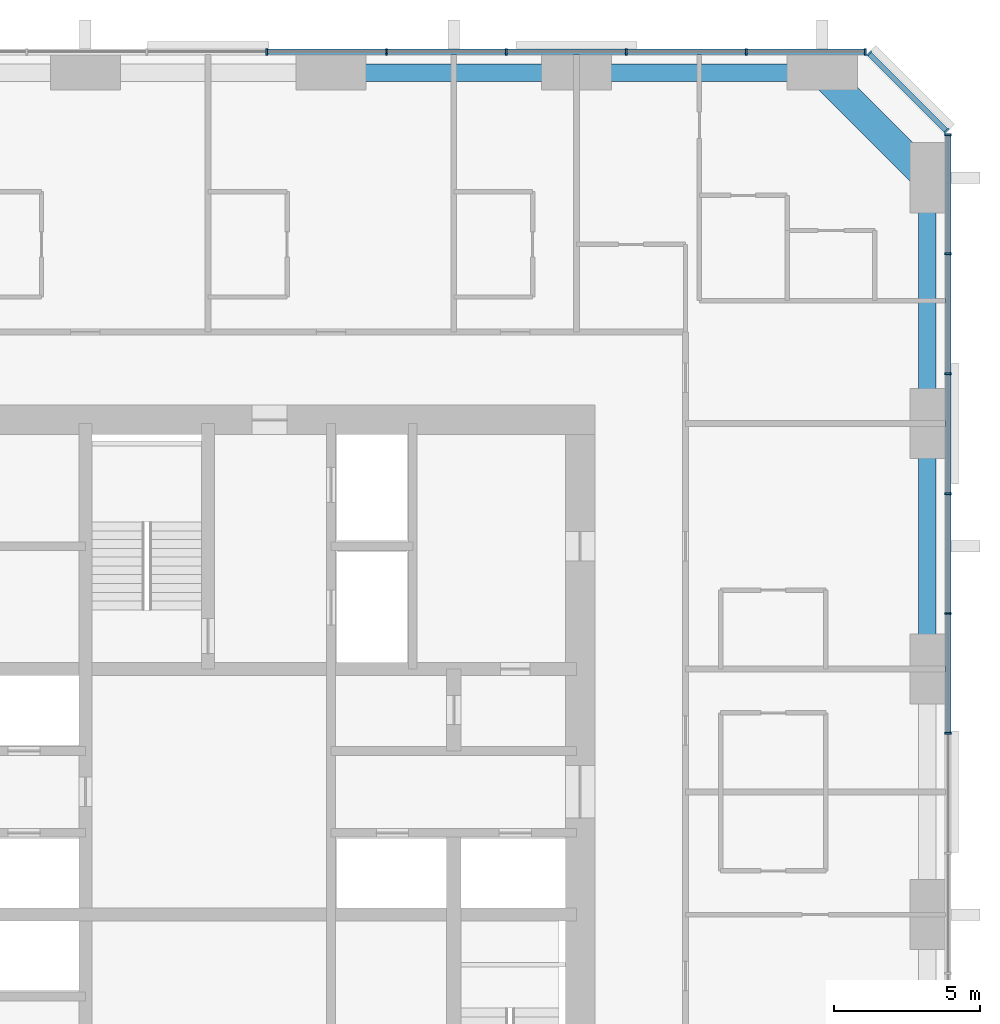
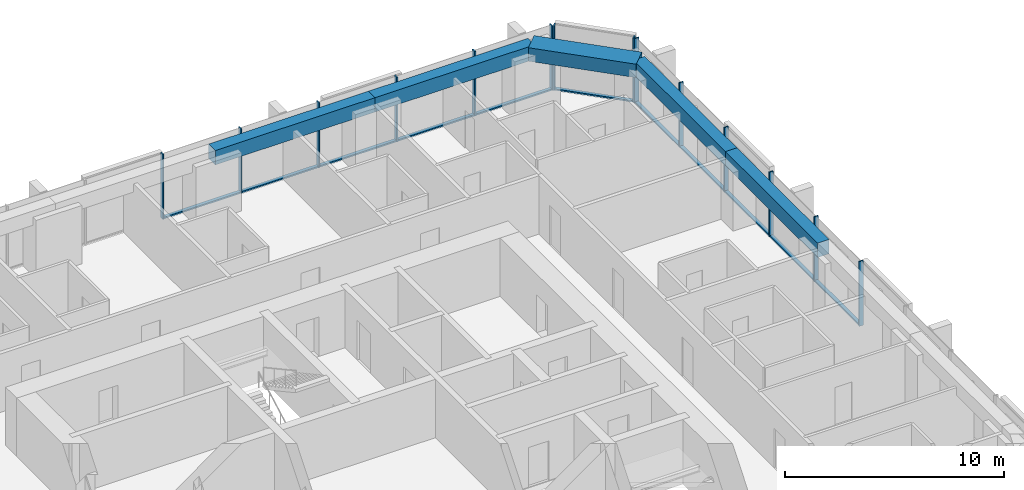
# One storey, part 6 of 14: 25 members, 5 beams, 3 elements without a shape of their own.
"""IFC4 building model written with IfcOpenShell, lengths in metres."""

from ifc_helpers import new_model, si_unit, direction, frame, origin, origin_2d, place, context, subcontext, project, spatial, rectangle, extrude, material, material_profile, profile_set, type_object, element, aggregate, save


model = new_model("IFC4")

# Units and contexts
model_context = context("Model", 3, precision=1e-05, world=origin(), true_north=direction((0.0, 1.0)))
body_context = subcontext(model_context, "Body", "Model", "MODEL_VIEW")
ifc_project = project(units=[si_unit("LENGTHUNIT", "METRE"), si_unit("AREAUNIT", "SQUARE_METRE"), si_unit("VOLUMEUNIT", "CUBIC_METRE"), si_unit("PLANEANGLEUNIT", "RADIAN"), si_unit("MASSUNIT", "GRAM", prefix="KILO")], contexts=[model_context])

# Site, building, storey
site_placement = place(None, origin())
site = spatial("IfcSite", under=ifc_project, at=site_placement, CompositionType="ELEMENT")
building_placement = place(site_placement, origin())
building = spatial("IfcBuilding", under=site, at=building_placement, Name="Dunama Terrace Hotel", CompositionType="ELEMENT")
storey_placement = place(building_placement, frame((0.0, 0.0, 133.199951171875)))
storey = spatial("IfcBuildingStorey", under=building, at=storey_placement, Name="L34", CompositionType="ELEMENT", Elevation=133.199951171875)

# Curtain wall, members
ifc_material_1 = material(Name="Aluminium curtain wall system", Category="aluminium")
curtain_wall_type = type_object("IfcCurtainWallType", Name="Unitised fritted glass wall CW-B", PredefinedType="NOTDEFINED", material=ifc_material_1)
curtain_wall_1_placement = place(storey_placement, origin())
curtain_wall_1 = element("IfcCurtainWall", 1, at=curtain_wall_1_placement, inside=storey, type_object=curtain_wall_type, Name="Unitised fritted glass wall CW-B L34", PredefinedType="NOTDEFINED")
ifc_material_2 = material(Name="Aluminium mullion", Category="aluminium")
ifc_material_profile_1 = material_profile(ifc_material_2, rectangle(XDim=0.06494140625, YDim=0.219970703125, at=origin_2d()), Name="CWB MULLION 65X220")
ifc_profile_set_1 = profile_set([ifc_material_profile_1], Name="Aluminium mullion")
member_type_1 = type_object("IfcMemberType", Name="CWB mullion 65x220", PredefinedType="MULLION", material=ifc_profile_set_1)
member_1_placement = place(storey_placement, frame((54.7099609375, 31.39990234375, 0.0), z_axis=(0.0, 0.0, 1.0), x_axis=(0.0, 1.0, 0.0)))
member_1 = element("IfcMember", 2, at=member_1_placement, type_object=member_type_1, Name="CWB mullion", PredefinedType="MULLION", context=body_context, shape_type="SweptSolid", body=[
    extrude(rectangle(XDim=0.06494140625, YDim=0.219970703125, at=origin_2d()), origin(), (0.0, 0.0, 1.0), 3.60009765625),
])
member_2_placement = place(storey_placement, frame((54.7099609375, 35.5, 0.0), z_axis=(0.0, 0.0, 1.0), x_axis=(0.0, 1.0, 0.0)))
member_2 = element("IfcMember", 3, at=member_2_placement, type_object=member_type_1, Name="CWB mullion", PredefinedType="MULLION", context=body_context, shape_type="SweptSolid", body=[
    extrude(rectangle(XDim=0.06494140625, YDim=0.219970703125, at=origin_2d()), origin(), (0.0, 0.0, 1.0), 3.60009765625),
])
member_3_placement = place(storey_placement, frame((54.7099609375, 39.60009765625, 0.0), z_axis=(0.0, 0.0, 1.0), x_axis=(0.0, 1.0, 0.0)))
member_3 = element("IfcMember", 4, at=member_3_placement, type_object=member_type_1, Name="CWB mullion", PredefinedType="MULLION", context=body_context, shape_type="SweptSolid", body=[
    extrude(rectangle(XDim=0.06494140625, YDim=0.219970703125, at=origin_2d()), origin(), (0.0, 0.0, 1.0), 3.60009765625),
])
member_4_placement = place(storey_placement, frame((54.7099609375, 43.699951171875, 0.0), z_axis=(0.0, 0.0, 1.0), x_axis=(0.0, 1.0, 0.0)))
member_4 = element("IfcMember", 5, at=member_4_placement, type_object=member_type_1, Name="CWB mullion", PredefinedType="MULLION", context=body_context, shape_type="SweptSolid", body=[
    extrude(rectangle(XDim=0.06494140625, YDim=0.219970703125, at=origin_2d()), origin(), (0.0, 0.0, 1.0), 3.60009765625),
])
member_5_placement = place(storey_placement, frame((54.7099609375, 47.800048828125, 0.0), z_axis=(0.0, 0.0, 1.0), x_axis=(0.0, 1.0, 0.0)))
member_5 = element("IfcMember", 6, at=member_5_placement, type_object=member_type_1, Name="CWB mullion", PredefinedType="MULLION", context=body_context, shape_type="SweptSolid", body=[
    extrude(rectangle(XDim=0.06494140625, YDim=0.219970703125, at=origin_2d()), origin(), (0.0, 0.0, 1.0), 3.60009765625),
])
member_6_placement = place(storey_placement, frame((54.7099609375, 51.866943359375, 0.0), z_axis=(0.0, 0.0, 1.0), x_axis=(0.0, 1.0, 0.0)))
member_6 = element("IfcMember", 7, at=member_6_placement, type_object=member_type_1, Name="CWB mullion", PredefinedType="MULLION", context=body_context, shape_type="SweptSolid", body=[
    extrude(rectangle(XDim=0.06494140625, YDim=0.219970703125, at=origin_2d()), origin(), (0.0, 0.0, 1.0), 3.60009765625),
])

curtain_wall_2_placement = place(storey_placement, origin())
curtain_wall_2 = element("IfcCurtainWall", 8, at=curtain_wall_2_placement, inside=storey, type_object=curtain_wall_type, Name="Unitised fritted glass wall CW-B L34", PredefinedType="NOTDEFINED")
member_7_placement = place(storey_placement, frame((54.655029296875, 52.0009765625, 0.0), z_axis=(0.0, 0.0, 1.0), x_axis=(-0.707106781187, 0.707106781187, 0.0)))
member_7 = element("IfcMember", 9, at=member_7_placement, type_object=member_type_1, Name="CWB mullion", PredefinedType="MULLION", context=body_context, shape_type="SweptSolid", body=[
    extrude(rectangle(XDim=0.06494140625, YDim=0.219970703125, at=origin_2d()), origin(), (0.0, 0.0, 1.0), 3.60009765625),
])
member_8_placement = place(storey_placement, frame((52.0009765625, 54.655029296875, 0.0), z_axis=(0.0, 0.0, 1.0), x_axis=(-0.707106781187, 0.707106781187, 0.0)))
member_8 = element("IfcMember", 10, at=member_8_placement, type_object=member_type_1, Name="CWB mullion", PredefinedType="MULLION", context=body_context, shape_type="SweptSolid", body=[
    extrude(rectangle(XDim=0.06494140625, YDim=0.219970703125, at=origin_2d()), origin(), (0.0, 0.0, 1.0), 3.60009765625),
])

curtain_wall_3_placement = place(storey_placement, origin())
curtain_wall_3 = element("IfcCurtainWall", 11, at=curtain_wall_3_placement, inside=storey, type_object=curtain_wall_type, Name="Unitised fritted glass wall CW-B L34", PredefinedType="NOTDEFINED")
member_9_placement = place(storey_placement, frame((51.866943359375, 54.7099609375, 0.0), z_axis=(0.0, 0.0, 1.0), x_axis=(-1.0, 0.0, 0.0)))
member_9 = element("IfcMember", 12, at=member_9_placement, type_object=member_type_1, Name="CWB mullion", PredefinedType="MULLION", context=body_context, shape_type="SweptSolid", body=[
    extrude(rectangle(XDim=0.06494140625, YDim=0.219970703125, at=origin_2d()), origin(), (0.0, 0.0, 1.0), 3.60009765625),
])
member_10_placement = place(storey_placement, frame((47.800048828125, 54.7099609375, 0.0), z_axis=(0.0, 0.0, 1.0), x_axis=(-1.0, 0.0, 0.0)))
member_10 = element("IfcMember", 13, at=member_10_placement, type_object=member_type_1, Name="CWB mullion", PredefinedType="MULLION", context=body_context, shape_type="SweptSolid", body=[
    extrude(rectangle(XDim=0.06494140625, YDim=0.219970703125, at=origin_2d()), origin(), (0.0, 0.0, 1.0), 3.60009765625),
])
member_11_placement = place(storey_placement, frame((43.699951171875, 54.7099609375, 0.0), z_axis=(0.0, 0.0, 1.0), x_axis=(-1.0, 0.0, 0.0)))
member_11 = element("IfcMember", 14, at=member_11_placement, type_object=member_type_1, Name="CWB mullion", PredefinedType="MULLION", context=body_context, shape_type="SweptSolid", body=[
    extrude(rectangle(XDim=0.06494140625, YDim=0.219970703125, at=origin_2d()), origin(), (0.0, 0.0, 1.0), 3.60009765625),
])
member_12_placement = place(storey_placement, frame((39.60009765625, 54.7099609375, 0.0), z_axis=(0.0, 0.0, 1.0), x_axis=(-1.0, 0.0, 0.0)))
member_12 = element("IfcMember", 15, at=member_12_placement, type_object=member_type_1, Name="CWB mullion", PredefinedType="MULLION", context=body_context, shape_type="SweptSolid", body=[
    extrude(rectangle(XDim=0.06494140625, YDim=0.219970703125, at=origin_2d()), origin(), (0.0, 0.0, 1.0), 3.60009765625),
])
member_13_placement = place(storey_placement, frame((35.5, 54.7099609375, 0.0), z_axis=(0.0, 0.0, 1.0), x_axis=(-1.0, 0.0, 0.0)))
member_13 = element("IfcMember", 16, at=member_13_placement, type_object=member_type_1, Name="CWB mullion", PredefinedType="MULLION", context=body_context, shape_type="SweptSolid", body=[
    extrude(rectangle(XDim=0.06494140625, YDim=0.219970703125, at=origin_2d()), origin(), (0.0, 0.0, 1.0), 3.60009765625),
])
member_14_placement = place(storey_placement, frame((31.39990234375, 54.7099609375, 0.0), z_axis=(0.0, 0.0, 1.0), x_axis=(-1.0, 0.0, 0.0)))
member_14 = element("IfcMember", 17, at=member_14_placement, type_object=member_type_1, Name="CWB mullion", PredefinedType="MULLION", context=body_context, shape_type="SweptSolid", body=[
    extrude(rectangle(XDim=0.06494140625, YDim=0.219970703125, at=origin_2d()), origin(), (0.0, 0.0, 1.0), 3.60009765625),
])

# Member
ifc_material_3 = material(Name="Aluminium transom", Category="aluminium")
ifc_material_profile_2 = material_profile(ifc_material_3, rectangle(XDim=0.179931640625, YDim=0.080078125, at=origin_2d()), Name="CWB TRANSOM 180X80")
ifc_profile_set_2 = profile_set([ifc_material_profile_2], Name="Aluminium transom")
member_type_2 = type_object("IfcMemberType", Name="CWB transom 180x80", PredefinedType="USERDEFINED", material=ifc_profile_set_2)
member_15_placement = place(storey_placement, frame((54.7099609375, 31.431884765625, 0.0400390625), z_axis=(0.0, 1.0, 0.0), x_axis=(-1.0, 0.0, 0.0)))
member_15 = element("IfcMember", 18, at=member_15_placement, type_object=member_type_2, Name="CWB transom", ObjectType="TRANSOM", PredefinedType="USERDEFINED", context=body_context, shape_type="SweptSolid", body=[
    extrude(rectangle(XDim=0.179931640625, YDim=0.080078125, at=origin_2d()), origin(), (0.0, 0.0, 1.0), 4.0361328125),
])

member_16_placement = place(storey_placement, frame((54.7099609375, 35.531982421875, 0.0400390625), z_axis=(0.0, 1.0, 0.0), x_axis=(-1.0, 0.0, 0.0)))
member_16 = element("IfcMember", 19, at=member_16_placement, type_object=member_type_2, Name="CWB transom", ObjectType="TRANSOM", PredefinedType="USERDEFINED", context=body_context, shape_type="SweptSolid", body=[
    extrude(rectangle(XDim=0.179931640625, YDim=0.080078125, at=origin_2d()), origin(), (0.0, 0.0, 1.0), 4.0361328125),
])

member_17_placement = place(storey_placement, frame((54.7099609375, 39.633056640625, 0.0400390625), z_axis=(0.0, 1.0, 0.0), x_axis=(-1.0, 0.0, 0.0)))
member_17 = element("IfcMember", 20, at=member_17_placement, type_object=member_type_2, Name="CWB transom", ObjectType="TRANSOM", PredefinedType="USERDEFINED", context=body_context, shape_type="SweptSolid", body=[
    extrude(rectangle(XDim=0.179931640625, YDim=0.080078125, at=origin_2d()), origin(), (0.0, 0.0, 1.0), 4.034912109375),
])

member_18_placement = place(storey_placement, frame((54.7099609375, 43.73291015625, 0.0400390625), z_axis=(0.0, 1.0, 0.0), x_axis=(-1.0, 0.0, 0.0)))
member_18 = element("IfcMember", 21, at=member_18_placement, type_object=member_type_2, Name="CWB transom", ObjectType="TRANSOM", PredefinedType="USERDEFINED", context=body_context, shape_type="SweptSolid", body=[
    extrude(rectangle(XDim=0.179931640625, YDim=0.080078125, at=origin_2d()), origin(), (0.0, 0.0, 1.0), 4.0341796875),
])

member_19_placement = place(storey_placement, frame((54.7099609375, 47.83203125, 0.0400390625), z_axis=(0.0, 1.0, 0.0), x_axis=(-1.0, 0.0, 0.0)))
member_19 = element("IfcMember", 22, at=member_19_placement, type_object=member_type_2, Name="CWB transom", ObjectType="TRANSOM", PredefinedType="USERDEFINED", context=body_context, shape_type="SweptSolid", body=[
    extrude(rectangle(XDim=0.179931640625, YDim=0.080078125, at=origin_2d()), origin(), (0.0, 0.0, 1.0), 4.0029296875),
])

aggregate(curtain_wall_1, [member_1, member_2, member_3, member_4, member_5, member_6, member_15, member_16, member_17, member_18, member_19])

member_20_placement = place(storey_placement, frame((54.632080078125, 52.02392578125, 0.0400390625), z_axis=(-0.707106781187, 0.707106781187, 0.0), x_axis=(-0.707106781187, -0.707106781187, 0.0)))
member_20 = element("IfcMember", 23, at=member_20_placement, type_object=member_type_2, Name="CWB transom", ObjectType="TRANSOM", PredefinedType="USERDEFINED", context=body_context, shape_type="SweptSolid", body=[
    extrude(rectangle(XDim=0.179931640625, YDim=0.080078125, at=origin_2d()), origin(), (0.0, 0.0, 1.0), 3.6884765625),
])

aggregate(curtain_wall_2, [member_7, member_8, member_20])

member_21_placement = place(storey_placement, frame((51.8349609375, 54.7099609375, 0.0400390625), z_axis=(-1.0, 0.0, 0.0), x_axis=(0.0, -1.0, 0.0)))
member_21 = element("IfcMember", 24, at=member_21_placement, type_object=member_type_2, Name="CWB transom", ObjectType="TRANSOM", PredefinedType="USERDEFINED", context=body_context, shape_type="SweptSolid", body=[
    extrude(rectangle(XDim=0.179931640625, YDim=0.080078125, at=origin_2d()), origin(), (0.0, 0.0, 1.0), 4.0029296875),
])

member_22_placement = place(storey_placement, frame((47.76708984375, 54.7099609375, 0.0400390625), z_axis=(-1.0, 0.0, 0.0), x_axis=(0.0, -1.0, 0.0)))
member_22 = element("IfcMember", 25, at=member_22_placement, type_object=member_type_2, Name="CWB transom", ObjectType="TRANSOM", PredefinedType="USERDEFINED", context=body_context, shape_type="SweptSolid", body=[
    extrude(rectangle(XDim=0.179931640625, YDim=0.080078125, at=origin_2d()), origin(), (0.0, 0.0, 1.0), 4.0341796875),
])

member_23_placement = place(storey_placement, frame((43.6669921875, 54.7099609375, 0.0400390625), z_axis=(-1.0, 0.0, 0.0), x_axis=(0.0, -1.0, 0.0)))
member_23 = element("IfcMember", 26, at=member_23_placement, type_object=member_type_2, Name="CWB transom", ObjectType="TRANSOM", PredefinedType="USERDEFINED", context=body_context, shape_type="SweptSolid", body=[
    extrude(rectangle(XDim=0.179931640625, YDim=0.080078125, at=origin_2d()), origin(), (0.0, 0.0, 1.0), 4.033935546875),
])

member_24_placement = place(storey_placement, frame((39.56689453125, 54.7099609375, 0.0400390625), z_axis=(-1.0, 0.0, 0.0), x_axis=(0.0, -1.0, 0.0)))
member_24 = element("IfcMember", 27, at=member_24_placement, type_object=member_type_2, Name="CWB transom", ObjectType="TRANSOM", PredefinedType="USERDEFINED", context=body_context, shape_type="SweptSolid", body=[
    extrude(rectangle(XDim=0.179931640625, YDim=0.080078125, at=origin_2d()), origin(), (0.0, 0.0, 1.0), 4.034912109375),
])

member_25_placement = place(storey_placement, frame((35.468017578125, 54.7099609375, 0.0400390625), z_axis=(-1.0, 0.0, 0.0), x_axis=(0.0, -1.0, 0.0)))
member_25 = element("IfcMember", 28, at=member_25_placement, type_object=member_type_2, Name="CWB transom", ObjectType="TRANSOM", PredefinedType="USERDEFINED", context=body_context, shape_type="SweptSolid", body=[
    extrude(rectangle(XDim=0.179931640625, YDim=0.080078125, at=origin_2d()), origin(), (0.0, 0.0, 1.0), 4.0361328125),
])

aggregate(curtain_wall_3, [member_9, member_10, member_11, member_12, member_13, member_14, member_21, member_22, member_23, member_24, member_25])

# Beams
ifc_material_4 = material(Name="Concrete C50/60", Category="concrete")
ifc_material_profile_3 = material_profile(ifc_material_4, rectangle(XDim=1.0, YDim=0.75, at=origin_2d()), Name="RC 1000x750")
ifc_profile_set_3 = profile_set([ifc_material_profile_3], Name="Concrete C50/60")
beam_type_1 = type_object("IfcBeamType", Name="Edge beam RC 1000x750", PredefinedType="SPANDREL", material=ifc_profile_set_3)
beam_placement = place(storey_placement, frame((50.39990234375, 54.0, 3.22509765625), z_axis=(0.707106781187, -0.707106781187, 0.0), x_axis=(0.707106781187, 0.707106781187, 0.0)))
element("IfcBeam", 29, at=beam_placement, inside=storey, type_object=beam_type_1, Name="Corner edge beam under L35", PredefinedType="SPANDREL", context=body_context, shape_type="SweptSolid", body=[
    extrude(rectangle(XDim=1.0, YDim=0.75, at=origin_2d()), origin(), (0.0, 0.0, 1.0), 5.09130859375),
])
ifc_material_5 = material(Name="Concrete C40/50", Category="concrete")
ifc_material_profile_4 = material_profile(ifc_material_5, rectangle(XDim=0.60009765625, YDim=0.800048828125, at=origin_2d()), Name="RC 600x800")
ifc_profile_set_4 = profile_set([ifc_material_profile_4], Name="Concrete C40/50")
beam_type_2 = type_object("IfcBeamType", Name="Edge beam RC 600x800", PredefinedType="SPANDREL", material=ifc_profile_set_4)
for number, where, z_axis, x_axis, name in (
    (30, (54.0, 33.60009765625, 3.199951171875), (0.0, 1.0, 0.0), (-1.0, 0.0, 0.0), "Edge beam under L35"),
    (31, (54.0, 42.0, 3.199951171875), (0.0, 1.0, 0.0), (-1.0, 0.0, 0.0), "Edge beam under L35"),
    (32, (33.60009765625, 54.0, 3.199951171875), (1.0, 0.0, 0.0), (0.0, 1.0, 0.0), "Edge beam under L35"),
    (33, (42.0, 54.0, 3.199951171875), (1.0, 0.0, 0.0), (0.0, 1.0, 0.0), "Edge beam under L35"),
):
    element("IfcBeam", number, at=place(storey_placement, frame(where, z_axis=z_axis, x_axis=x_axis)), inside=storey, type_object=beam_type_2, Name=name, PredefinedType="SPANDREL", context=body_context, shape_type="SweptSolid", body=[
        extrude(rectangle(XDim=0.60009765625, YDim=0.800048828125, at=origin_2d()), origin(), (0.0, 0.0, 1.0), 8.39990234375),
    ])

save(model, "model.ifc")
